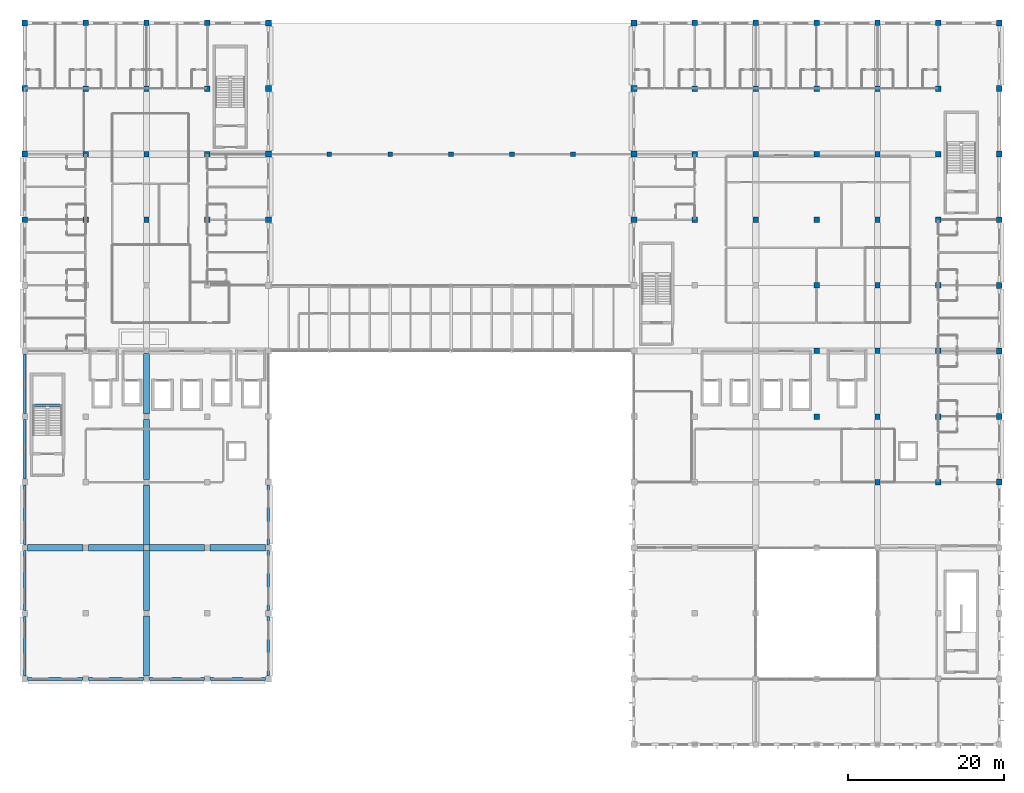
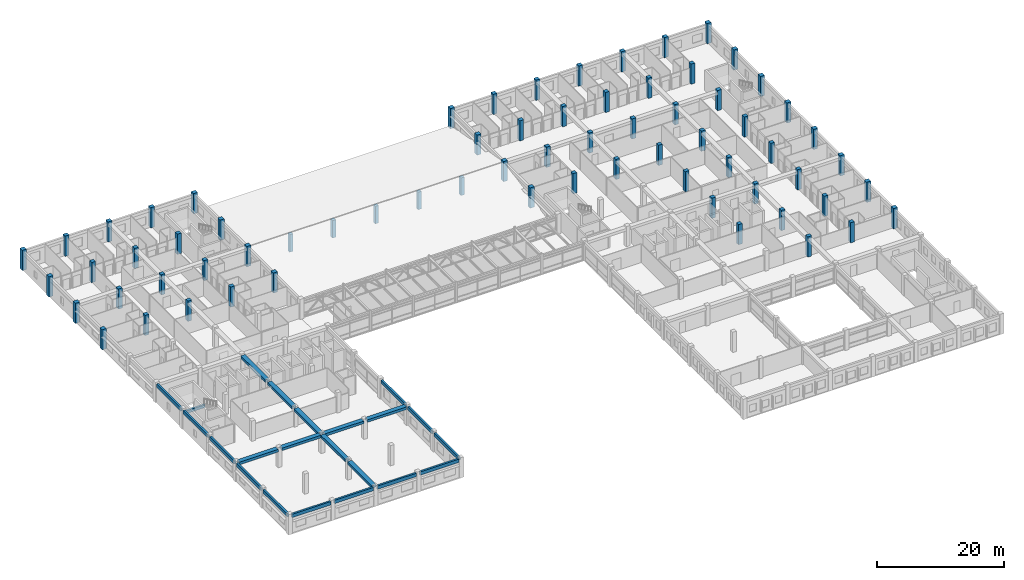
# One storey, part 5 of 72: 68 columns, 22 beams.
"""IFC4 building model written with IfcOpenShell, lengths in metres."""

from ifc_helpers import new_model, si_unit, direction, frame, origin, origin_2d, place, context, subcontext, project, spatial, rectangle, extrude, material, material_profile, profile_set, type_object, element, save


model = new_model("IFC4")

# Units and contexts
model_context = context("Model", 3, precision=1e-05, world=origin(), true_north=direction((0.0, 1.0)))
body_context = subcontext(model_context, "Body", "Model", "MODEL_VIEW")
ifc_project = project(units=[si_unit("LENGTHUNIT", "METRE"), si_unit("AREAUNIT", "SQUARE_METRE"), si_unit("VOLUMEUNIT", "CUBIC_METRE"), si_unit("PLANEANGLEUNIT", "RADIAN"), si_unit("MASSUNIT", "GRAM", prefix="KILO"), si_unit("THERMODYNAMICTEMPERATUREUNIT", "KELVIN"), si_unit("POWERUNIT", "WATT")], contexts=[model_context])

# Site, building, storey
site_placement = place(None, origin())
site = spatial("IfcSite", under=ifc_project, at=site_placement, CompositionType="ELEMENT")
building_placement = place(site_placement, origin())
building = spatial("IfcBuilding", under=site, at=building_placement, Name="Srebrne Nadtorze General Hospital", CompositionType="ELEMENT")
storey_placement = place(building_placement, frame((0.0, 0.0, 22.199951171875)))
storey = spatial("IfcBuildingStorey", under=building, at=storey_placement, Name="L05", CompositionType="ELEMENT", Elevation=22.199951171875)

# Columns
ifc_material_1 = material(Name="Concrete C35/45", Category="concrete")
ifc_material_profile_1 = material_profile(ifc_material_1, rectangle(XDim=0.60009765625, YDim=0.60009765625, at=origin_2d()), Name="RC-COL-600x600")
ifc_profile_set_1 = profile_set([ifc_material_profile_1], Name="Concrete C35/45")
column_type_1 = type_object("IfcColumnType", Name="Reinforced concrete column 600x600", PredefinedType="COLUMN", material=ifc_profile_set_1)
for number, where, z_axis, x_axis, name in (
    (1, (62.39990234375, 75.60009765625, 0.0), (0.0, 0.0, 1.0), (1.0, 0.0, 0.0), "Pavilion roof ridge column SRG 02"),
    (2, (70.199951171875, 75.60009765625, 0.0), (0.0, 0.0, 1.0), (1.0, 0.0, 0.0), "Pavilion roof ridge column SRG 03"),
    (3, (78.0, 75.60009765625, 0.0), (0.0, 0.0, 1.0), (1.0, 0.0, 0.0), "Pavilion roof ridge column SRG 04"),
    (4, (85.800048828125, 75.60009765625, 0.0), (0.0, 0.0, 1.0), (1.0, 0.0, 0.0), "Pavilion roof ridge column SRG 05"),
    (5, (93.60009765625, 75.60009765625, 0.0), (0.0, 0.0, 1.0), (1.0, 0.0, 0.0), "Pavilion roof ridge column SRG 06"),
):
    element("IfcColumn", number, at=place(storey_placement, frame(where, z_axis=z_axis, x_axis=x_axis)), inside=storey, type_object=column_type_1, Name=name, PredefinedType="COLUMN", context=body_context, shape_type="SweptSolid", body=[
        extrude(rectangle(XDim=0.60009765625, YDim=0.60009765625, at=origin_2d()), origin(), (0.0, 0.0, 1.0), 3.380126953125),
    ])
ifc_material_2 = material(Name="Concrete C40/50", Category="concrete")
ifc_material_profile_2 = material_profile(ifc_material_2, rectangle(XDim=0.699951171875, YDim=0.699951171875, at=origin_2d()), Name="RC-COL-700x700")
ifc_profile_set_2 = profile_set([ifc_material_profile_2], Name="Concrete C40/50")
column_type_2 = type_object("IfcColumnType", Name="Reinforced concrete column 700x700", PredefinedType="COLUMN", material=ifc_profile_set_2)
for number, where, z_axis, x_axis, name in (
    (6, (31.199951171875, 67.199951171875, 0.0), (0.0, 0.0, 1.0), (1.0, 0.0, 0.0), "Column CL-L05-5-J"),
    (7, (31.199951171875, 75.60009765625, 0.0), (0.0, 0.0, 1.0), (1.0, 0.0, 0.0), "Column CL-L05-5-K"),
    (8, (31.199951171875, 84.0, 0.0), (0.0, 0.0, 1.0), (1.0, 0.0, 0.0), "Column CL-L05-5-L"),
    (9, (31.199951171875, 92.39990234375, 0.0), (0.0, 0.0, 1.0), (1.0, 0.0, 0.0), "Column CL-L05-5-M"),
    (10, (39.0, 67.199951171875, 0.0), (0.0, 0.0, 1.0), (1.0, 0.0, 0.0), "Column CL-L05-6-J"),
    (11, (39.0, 75.60009765625, 0.0), (0.0, 0.0, 1.0), (1.0, 0.0, 0.0), "Column CL-L05-6-K"),
    (12, (39.0, 84.0, 0.0), (0.0, 0.0, 1.0), (1.0, 0.0, 0.0), "Column CL-L05-6-L"),
    (13, (39.0, 92.39990234375, 0.0), (0.0, 0.0, 1.0), (1.0, 0.0, 0.0), "Column CL-L05-6-M"),
    (14, (46.800048828125, 67.199951171875, 0.0), (0.0, 0.0, 1.0), (1.0, 0.0, 0.0), "Column CL-L05-7-J"),
    (15, (46.800048828125, 75.60009765625, 0.0), (0.0, 0.0, 1.0), (1.0, 0.0, 0.0), "Column CL-L05-7-K"),
    (16, (46.800048828125, 84.0, 0.0), (0.0, 0.0, 1.0), (1.0, 0.0, 0.0), "Column CL-L05-7-L"),
    (17, (46.800048828125, 92.39990234375, 0.0), (0.0, 0.0, 1.0), (1.0, 0.0, 0.0), "Column CL-L05-7-M"),
    (18, (109.199951171875, 67.199951171875, 0.0), (0.0, 0.0, 1.0), (1.0, 0.0, 0.0), "Column CL-L05-15-J"),
    (19, (109.199951171875, 75.60009765625, 0.0), (0.0, 0.0, 1.0), (1.0, 0.0, 0.0), "Column CL-L05-15-K"),
    (20, (109.199951171875, 84.0, 0.0), (0.0, 0.0, 1.0), (1.0, 0.0, 0.0), "Column CL-L05-15-L"),
    (21, (109.199951171875, 92.39990234375, 0.0), (0.0, 0.0, 1.0), (1.0, 0.0, 0.0), "Column CL-L05-15-M"),
    (22, (117.0, 67.199951171875, 0.0), (0.0, 0.0, 1.0), (1.0, 0.0, 0.0), "Column CL-L05-16-J"),
    (23, (117.0, 75.60009765625, 0.0), (0.0, 0.0, 1.0), (1.0, 0.0, 0.0), "Column CL-L05-16-K"),
    (24, (117.0, 84.0, 0.0), (0.0, 0.0, 1.0), (1.0, 0.0, 0.0), "Column CL-L05-16-L"),
    (25, (117.0, 92.39990234375, 0.0), (0.0, 0.0, 1.0), (1.0, 0.0, 0.0), "Column CL-L05-16-M"),
    (26, (124.800048828125, 42.0, 0.0), (0.0, 0.0, 1.0), (1.0, 0.0, 0.0), "Column CL-L05-17-F"),
    (27, (124.800048828125, 50.39990234375, 0.0), (0.0, 0.0, 1.0), (1.0, 0.0, 0.0), "Column CL-L05-17-G"),
    (28, (124.800048828125, 58.800048828125, 0.0), (0.0, 0.0, 1.0), (1.0, 0.0, 0.0), "Column CL-L05-17-H"),
    (29, (124.800048828125, 67.199951171875, 0.0), (0.0, 0.0, 1.0), (1.0, 0.0, 0.0), "Column CL-L05-17-J"),
    (30, (124.800048828125, 75.60009765625, 0.0), (0.0, 0.0, 1.0), (1.0, 0.0, 0.0), "Column CL-L05-17-K"),
    (31, (124.800048828125, 84.0, 0.0), (0.0, 0.0, 1.0), (1.0, 0.0, 0.0), "Column CL-L05-17-L"),
    (32, (124.800048828125, 92.39990234375, 0.0), (0.0, 0.0, 1.0), (1.0, 0.0, 0.0), "Column CL-L05-17-M"),
    (33, (132.60009765625, 33.60009765625, 0.0), (0.0, 0.0, 1.0), (1.0, 0.0, 0.0), "Column CL-L05-18-E"),
    (34, (132.60009765625, 42.0, 0.0), (0.0, 0.0, 1.0), (1.0, 0.0, 0.0), "Column CL-L05-18-F"),
    (35, (132.60009765625, 50.39990234375, 0.0), (0.0, 0.0, 1.0), (1.0, 0.0, 0.0), "Column CL-L05-18-G"),
    (36, (132.60009765625, 58.800048828125, 0.0), (0.0, 0.0, 1.0), (1.0, 0.0, 0.0), "Column CL-L05-18-H"),
    (37, (132.60009765625, 67.199951171875, 0.0), (0.0, 0.0, 1.0), (1.0, 0.0, 0.0), "Column CL-L05-18-J"),
    (38, (132.60009765625, 75.60009765625, 0.0), (0.0, 0.0, 1.0), (1.0, 0.0, 0.0), "Column CL-L05-18-K"),
    (39, (132.60009765625, 84.0, 0.0), (0.0, 0.0, 1.0), (1.0, 0.0, 0.0), "Column CL-L05-18-L"),
    (40, (132.60009765625, 92.39990234375, 0.0), (0.0, 0.0, 1.0), (1.0, 0.0, 0.0), "Column CL-L05-18-M"),
    (41, (140.39990234375, 33.60009765625, 0.0), (0.0, 0.0, 1.0), (1.0, 0.0, 0.0), "Column CL-L05-19-E"),
    (42, (140.39990234375, 42.0, 0.0), (0.0, 0.0, 1.0), (1.0, 0.0, 0.0), "Column CL-L05-19-F"),
    (43, (140.39990234375, 50.39990234375, 0.0), (0.0, 0.0, 1.0), (1.0, 0.0, 0.0), "Column CL-L05-19-G"),
    (44, (140.39990234375, 58.800048828125, 0.0), (0.0, 0.0, 1.0), (1.0, 0.0, 0.0), "Column CL-L05-19-H"),
    (45, (140.39990234375, 67.199951171875, 0.0), (0.0, 0.0, 1.0), (1.0, 0.0, 0.0), "Column CL-L05-19-J"),
    (46, (140.39990234375, 75.60009765625, 0.0), (0.0, 0.0, 1.0), (1.0, 0.0, 0.0), "Column CL-L05-19-K"),
    (47, (140.39990234375, 84.0, 0.0), (0.0, 0.0, 1.0), (1.0, 0.0, 0.0), "Column CL-L05-19-L"),
    (48, (140.39990234375, 92.39990234375, 0.0), (0.0, 0.0, 1.0), (1.0, 0.0, 0.0), "Column CL-L05-19-M"),
):
    element("IfcColumn", number, at=place(storey_placement, frame(where, z_axis=z_axis, x_axis=x_axis)), inside=storey, type_object=column_type_2, Name=name, PredefinedType="COLUMN", context=body_context, shape_type="SweptSolid", body=[
        extrude(rectangle(XDim=0.699951171875, YDim=0.699951171875, at=origin_2d()), origin(), (0.0, 0.0, 1.0), 3.900146484375),
    ])
ifc_material_3 = material(Name="Concrete C40/50", Category="concrete")
ifc_material_profile_3 = material_profile(ifc_material_3, rectangle(XDim=0.75, YDim=0.75, at=origin_2d()), Name="RC-COL-750x750")
ifc_profile_set_3 = profile_set([ifc_material_profile_3], Name="Concrete C40/50")
column_type_3 = type_object("IfcColumnType", Name="Reinforced concrete column 750x750", PredefinedType="COLUMN", material=ifc_profile_set_3)
for number, where, z_axis, x_axis, name in (
    (49, (23.39990234375, 67.199951171875, 0.0), (0.0, 0.0, 1.0), (1.0, 0.0, 0.0), "Column CL-L05-4-J"),
    (50, (23.39990234375, 75.60009765625, 0.0), (0.0, 0.0, 1.0), (1.0, 0.0, 0.0), "Column CL-L05-4-K"),
    (51, (23.39990234375, 84.0, 0.0), (0.0, 0.0, 1.0), (1.0, 0.0, 0.0), "Column CL-L05-4-L"),
    (52, (23.39990234375, 92.39990234375, 0.0), (0.0, 0.0, 1.0), (1.0, 0.0, 0.0), "Column CL-L05-4-M"),
    (53, (54.60009765625, 67.199951171875, 0.0), (0.0, 0.0, 1.0), (1.0, 0.0, 0.0), "Column CL-L05-8-J"),
    (54, (54.60009765625, 75.60009765625, 0.0), (0.0, 0.0, 1.0), (1.0, 0.0, 0.0), "Column CL-L05-8-K"),
    (55, (54.60009765625, 84.0, 0.0), (0.0, 0.0, 1.0), (1.0, 0.0, 0.0), "Column CL-L05-8-L"),
    (56, (54.60009765625, 92.39990234375, 0.0), (0.0, 0.0, 1.0), (1.0, 0.0, 0.0), "Column CL-L05-8-M"),
    (57, (101.39990234375, 67.199951171875, 0.0), (0.0, 0.0, 1.0), (1.0, 0.0, 0.0), "Column CL-L05-14-J"),
    (58, (101.39990234375, 75.60009765625, 0.0), (0.0, 0.0, 1.0), (1.0, 0.0, 0.0), "Column CL-L05-14-K"),
    (59, (101.39990234375, 84.0, 0.0), (0.0, 0.0, 1.0), (1.0, 0.0, 0.0), "Column CL-L05-14-L"),
    (60, (101.39990234375, 92.39990234375, 0.0), (0.0, 0.0, 1.0), (1.0, 0.0, 0.0), "Column CL-L05-14-M"),
    (61, (148.199951171875, 33.60009765625, 0.0), (0.0, 0.0, 1.0), (1.0, 0.0, 0.0), "Column CL-L05-20-E"),
    (62, (148.199951171875, 42.0, 0.0), (0.0, 0.0, 1.0), (1.0, 0.0, 0.0), "Column CL-L05-20-F"),
    (63, (148.199951171875, 50.39990234375, 0.0), (0.0, 0.0, 1.0), (1.0, 0.0, 0.0), "Column CL-L05-20-G"),
    (64, (148.199951171875, 58.800048828125, 0.0), (0.0, 0.0, 1.0), (1.0, 0.0, 0.0), "Column CL-L05-20-H"),
    (65, (148.199951171875, 67.199951171875, 0.0), (0.0, 0.0, 1.0), (1.0, 0.0, 0.0), "Column CL-L05-20-J"),
    (66, (148.199951171875, 75.60009765625, 0.0), (0.0, 0.0, 1.0), (1.0, 0.0, 0.0), "Column CL-L05-20-K"),
    (67, (148.199951171875, 84.0, 0.0), (0.0, 0.0, 1.0), (1.0, 0.0, 0.0), "Column CL-L05-20-L"),
    (68, (148.199951171875, 92.39990234375, 0.0), (0.0, 0.0, 1.0), (1.0, 0.0, 0.0), "Column CL-L05-20-M"),
):
    element("IfcColumn", number, at=place(storey_placement, frame(where, z_axis=z_axis, x_axis=x_axis)), inside=storey, type_object=column_type_3, Name=name, PredefinedType="COLUMN", context=body_context, shape_type="SweptSolid", body=[
        extrude(rectangle(XDim=0.75, YDim=0.75, at=origin_2d()), origin(), (0.0, 0.0, 1.0), 3.900146484375),
    ])

# Beams
ifc_material_4 = material(Name="Concrete C35/45", Category="concrete")
ifc_material_profile_4 = material_profile(ifc_material_4, rectangle(XDim=0.35009765625, YDim=0.64990234375, at=origin_2d()), Name="RC-BM-350x650")
ifc_profile_set_4 = profile_set([ifc_material_profile_4], Name="Concrete C35/45")
beam_type_1 = type_object("IfcBeamType", Name="Edge beam RC 350x650", PredefinedType="BEAM", material=ifc_profile_set_4)
beam_1_placement = place(storey_placement, frame((23.77490234375, 8.39990234375, 3.275146484375), z_axis=(1.0, 0.0, 0.0), x_axis=(0.0, 1.0, 0.0)))
element("IfcBeam", 69, at=beam_1_placement, inside=storey, type_object=beam_type_1, Name="Beam BM-L05-X-1002", PredefinedType="BEAM", context=body_context, shape_type="SweptSolid", body=[
    extrude(rectangle(XDim=0.35009765625, YDim=0.64990234375, at=origin_2d()), origin(), (0.0, 0.0, 1.0), 7.0751953125),
])
for number, where, z_axis, x_axis, name in (
    (70, (31.550048828125, 8.39990234375, 3.275146484375), (1.0, 0.0, 0.0), (0.0, 1.0, 0.0), "Beam BM-L05-X-1003"),
    (71, (39.35009765625, 8.39990234375, 3.275146484375), (1.0, 0.0, 0.0), (0.0, 1.0, 0.0), "Beam BM-L05-X-1004"),
):
    element("IfcBeam", number, at=place(storey_placement, frame(where, z_axis=z_axis, x_axis=x_axis)), inside=storey, type_object=beam_type_1, Name=name, PredefinedType="BEAM", context=body_context, shape_type="SweptSolid", body=[
        extrude(rectangle(XDim=0.35009765625, YDim=0.64990234375, at=origin_2d()), origin(), (0.0, 0.0, 1.0), 7.099853515625),
    ])
beam_2_placement = place(storey_placement, frame((47.14990234375, 8.39990234375, 3.275146484375), z_axis=(1.0, 0.0, 0.0), x_axis=(0.0, 1.0, 0.0)))
element("IfcBeam", 72, at=beam_2_placement, inside=storey, type_object=beam_type_1, Name="Beam BM-L05-X-1005", PredefinedType="BEAM", context=body_context, shape_type="SweptSolid", body=[
    extrude(rectangle(XDim=0.35009765625, YDim=0.64990234375, at=origin_2d()), origin(), (0.0, 0.0, 1.0), 7.0751953125),
])
beam_3_placement = place(storey_placement, frame((23.39990234375, 8.77490234375, 3.275146484375), z_axis=(0.0, 1.0, 0.0), x_axis=(-1.0, 0.0, 0.0)))
element("IfcBeam", 73, at=beam_3_placement, inside=storey, type_object=beam_type_1, Name="Beam BM-L05-Y-1059", PredefinedType="BEAM", context=body_context, shape_type="SweptSolid", body=[
    extrude(rectangle(XDim=0.35009765625, YDim=0.64990234375, at=origin_2d()), origin(), (0.0, 0.0, 1.0), 7.650146484375),
])
beam_4_placement = place(storey_placement, frame((23.39990234375, 17.175048828125, 3.275146484375), z_axis=(0.0, 1.0, 0.0), x_axis=(-1.0, 0.0, 0.0)))
element("IfcBeam", 74, at=beam_4_placement, inside=storey, type_object=beam_type_1, Name="Beam BM-L05-Y-1060", PredefinedType="BEAM", context=body_context, shape_type="SweptSolid", body=[
    extrude(rectangle(XDim=0.35009765625, YDim=0.64990234375, at=origin_2d()), origin(), (0.0, 0.0, 1.0), 7.64990234375),
])
beam_5_placement = place(storey_placement, frame((23.39990234375, 25.574951171875, 3.275146484375), z_axis=(0.0, 1.0, 0.0), x_axis=(-1.0, 0.0, 0.0)))
element("IfcBeam", 75, at=beam_5_placement, inside=storey, type_object=beam_type_1, Name="Beam BM-L05-Y-1061", PredefinedType="BEAM", context=body_context, shape_type="SweptSolid", body=[
    extrude(rectangle(XDim=0.35009765625, YDim=0.64990234375, at=origin_2d()), origin(), (0.0, 0.0, 1.0), 7.650146484375),
])
for number, where, z_axis, x_axis, name in (
    (76, (23.39990234375, 33.97509765625, 3.275146484375), (0.0, 1.0, 0.0), (-1.0, 0.0, 0.0), "Beam BM-L05-Y-1062"),
    (77, (23.39990234375, 42.375, 3.275146484375), (0.0, 1.0, 0.0), (-1.0, 0.0, 0.0), "Beam BM-L05-Y-1063"),
):
    element("IfcBeam", number, at=place(storey_placement, frame(where, z_axis=z_axis, x_axis=x_axis)), inside=storey, type_object=beam_type_1, Name=name, PredefinedType="BEAM", context=body_context, shape_type="SweptSolid", body=[
        extrude(rectangle(XDim=0.35009765625, YDim=0.64990234375, at=origin_2d()), origin(), (0.0, 0.0, 1.0), 7.64990234375),
    ])
beam_6_placement = place(storey_placement, frame((54.60009765625, 8.77490234375, 3.275146484375), z_axis=(0.0, 1.0, 0.0), x_axis=(-1.0, 0.0, 0.0)))
element("IfcBeam", 78, at=beam_6_placement, inside=storey, type_object=beam_type_1, Name="Beam BM-L05-Y-1079", PredefinedType="BEAM", context=body_context, shape_type="SweptSolid", body=[
    extrude(rectangle(XDim=0.35009765625, YDim=0.64990234375, at=origin_2d()), origin(), (0.0, 0.0, 1.0), 7.650146484375),
])
beam_7_placement = place(storey_placement, frame((54.60009765625, 17.175048828125, 3.275146484375), z_axis=(0.0, 1.0, 0.0), x_axis=(-1.0, 0.0, 0.0)))
element("IfcBeam", 79, at=beam_7_placement, inside=storey, type_object=beam_type_1, Name="Beam BM-L05-Y-1080", PredefinedType="BEAM", context=body_context, shape_type="SweptSolid", body=[
    extrude(rectangle(XDim=0.35009765625, YDim=0.64990234375, at=origin_2d()), origin(), (0.0, 0.0, 1.0), 7.64990234375),
])
beam_8_placement = place(storey_placement, frame((54.60009765625, 25.574951171875, 3.275146484375), z_axis=(0.0, 1.0, 0.0), x_axis=(-1.0, 0.0, 0.0)))
element("IfcBeam", 80, at=beam_8_placement, inside=storey, type_object=beam_type_1, Name="Beam BM-L05-Y-1081", PredefinedType="BEAM", context=body_context, shape_type="SweptSolid", body=[
    extrude(rectangle(XDim=0.35009765625, YDim=0.64990234375, at=origin_2d()), origin(), (0.0, 0.0, 1.0), 7.650146484375),
])
ifc_material_5 = material(Name="Concrete C40/50", Category="concrete")
ifc_material_profile_5 = material_profile(ifc_material_5, rectangle(XDim=0.800048828125, YDim=0.5, at=origin_2d()), Name="RC-BM-800x500")
ifc_profile_set_5 = profile_set([ifc_material_profile_5], Name="Concrete C40/50")
beam_type_2 = type_object("IfcBeamType", Name="Primary beam RC 800x500", PredefinedType="BEAM", material=ifc_profile_set_5)
beam_9_placement = place(storey_placement, frame((23.77490234375, 25.199951171875, 3.35009765625), z_axis=(1.0, 0.0, 0.0), x_axis=(0.0, 1.0, 0.0)))
element("IfcBeam", 81, at=beam_9_placement, inside=storey, type_object=beam_type_2, Name="Beam BM-L05-X-1008", PredefinedType="BEAM", context=body_context, shape_type="SweptSolid", body=[
    extrude(rectangle(XDim=0.800048828125, YDim=0.5, at=origin_2d()), origin(), (0.0, 0.0, 1.0), 7.0751953125),
])
for number, where, z_axis, x_axis, name in (
    (82, (31.550048828125, 25.199951171875, 3.35009765625), (1.0, 0.0, 0.0), (0.0, 1.0, 0.0), "Beam BM-L05-X-1009"),
    (83, (39.35009765625, 25.199951171875, 3.35009765625), (1.0, 0.0, 0.0), (0.0, 1.0, 0.0), "Beam BM-L05-X-1010"),
):
    element("IfcBeam", number, at=place(storey_placement, frame(where, z_axis=z_axis, x_axis=x_axis)), inside=storey, type_object=beam_type_2, Name=name, PredefinedType="BEAM", context=body_context, shape_type="SweptSolid", body=[
        extrude(rectangle(XDim=0.800048828125, YDim=0.5, at=origin_2d()), origin(), (0.0, 0.0, 1.0), 7.099853515625),
    ])
beam_10_placement = place(storey_placement, frame((47.14990234375, 25.199951171875, 3.35009765625), z_axis=(1.0, 0.0, 0.0), x_axis=(0.0, 1.0, 0.0)))
element("IfcBeam", 84, at=beam_10_placement, inside=storey, type_object=beam_type_2, Name="Beam BM-L05-X-1011", PredefinedType="BEAM", context=body_context, shape_type="SweptSolid", body=[
    extrude(rectangle(XDim=0.800048828125, YDim=0.5, at=origin_2d()), origin(), (0.0, 0.0, 1.0), 7.0751953125),
])
beam_11_placement = place(storey_placement, frame((39.0, 8.75, 3.35009765625), z_axis=(0.0, 1.0, 0.0), x_axis=(-1.0, 0.0, 0.0)))
element("IfcBeam", 85, at=beam_11_placement, inside=storey, type_object=beam_type_2, Name="Beam BM-L05-Y-1069", PredefinedType="BEAM", context=body_context, shape_type="SweptSolid", body=[
    extrude(rectangle(XDim=0.800048828125, YDim=0.5, at=origin_2d()), origin(), (0.0, 0.0, 1.0), 7.699951171875),
])
beam_12_placement = place(storey_placement, frame((39.0, 17.14990234375, 3.35009765625), z_axis=(0.0, 1.0, 0.0), x_axis=(-1.0, 0.0, 0.0)))
element("IfcBeam", 86, at=beam_12_placement, inside=storey, type_object=beam_type_2, Name="Beam BM-L05-Y-1070", PredefinedType="BEAM", context=body_context, shape_type="SweptSolid", body=[
    extrude(rectangle(XDim=0.800048828125, YDim=0.5, at=origin_2d()), origin(), (0.0, 0.0, 1.0), 7.7001953125),
])
for number, where, z_axis, x_axis, name in (
    (87, (39.0, 25.550048828125, 3.35009765625), (0.0, 1.0, 0.0), (-1.0, 0.0, 0.0), "Beam BM-L05-Y-1071"),
    (88, (39.0, 33.949951171875, 3.35009765625), (0.0, 1.0, 0.0), (-1.0, 0.0, 0.0), "Beam BM-L05-Y-1072"),
    (89, (39.0, 42.35009765625, 3.35009765625), (0.0, 1.0, 0.0), (-1.0, 0.0, 0.0), "Beam BM-L05-Y-1073"),
):
    element("IfcBeam", number, at=place(storey_placement, frame(where, z_axis=z_axis, x_axis=x_axis)), inside=storey, type_object=beam_type_2, Name=name, PredefinedType="BEAM", context=body_context, shape_type="SweptSolid", body=[
        extrude(rectangle(XDim=0.800048828125, YDim=0.5, at=origin_2d()), origin(), (0.0, 0.0, 1.0), 7.699951171875),
    ])
ifc_material_6 = material(Name="Concrete C35/45", Category="concrete")
ifc_material_profile_6 = material_profile(ifc_material_6, rectangle(XDim=0.35009765625, YDim=0.550048828125, at=origin_2d()), Name="RC-BM-350x550")
ifc_profile_set_6 = profile_set([ifc_material_profile_6], Name="Concrete C35/45")
beam_type_3 = type_object("IfcBeamType", Name="Spandrel lintel beam RC 350x550", PredefinedType="LINTEL", material=ifc_profile_set_6)
beam_13_placement = place(storey_placement, frame((24.449951171875, 43.43994140625, 1.675048828125), z_axis=(1.0, 0.0, 0.0), x_axis=(0.0, 1.0, 0.0)))
element("IfcBeam", 90, at=beam_13_placement, inside=storey, type_object=beam_type_3, Name="Stair landing header beam ST-01 L05", PredefinedType="LINTEL", context=body_context, shape_type="SweptSolid", body=[
    extrude(rectangle(XDim=0.35009765625, YDim=0.550048828125, at=origin_2d()), origin(), (0.0, 0.0, 1.0), 3.75),
])

save(model, "model.ifc")
